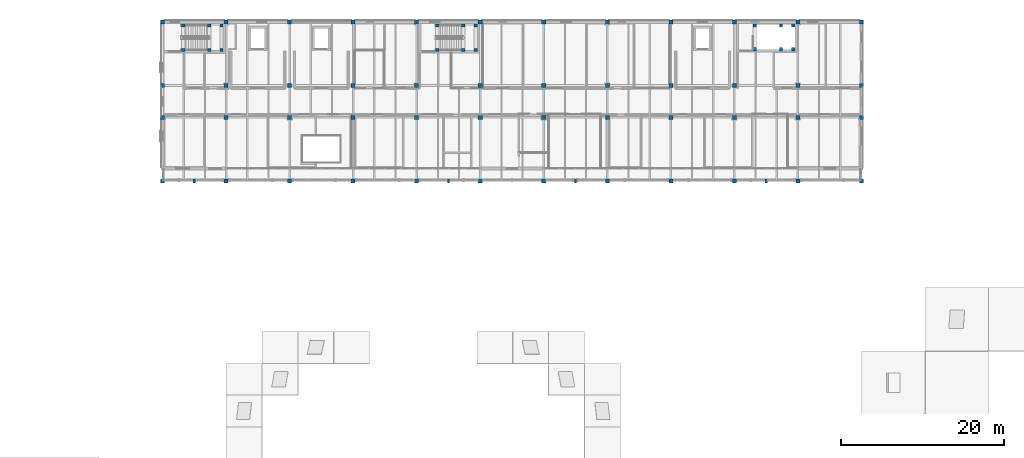
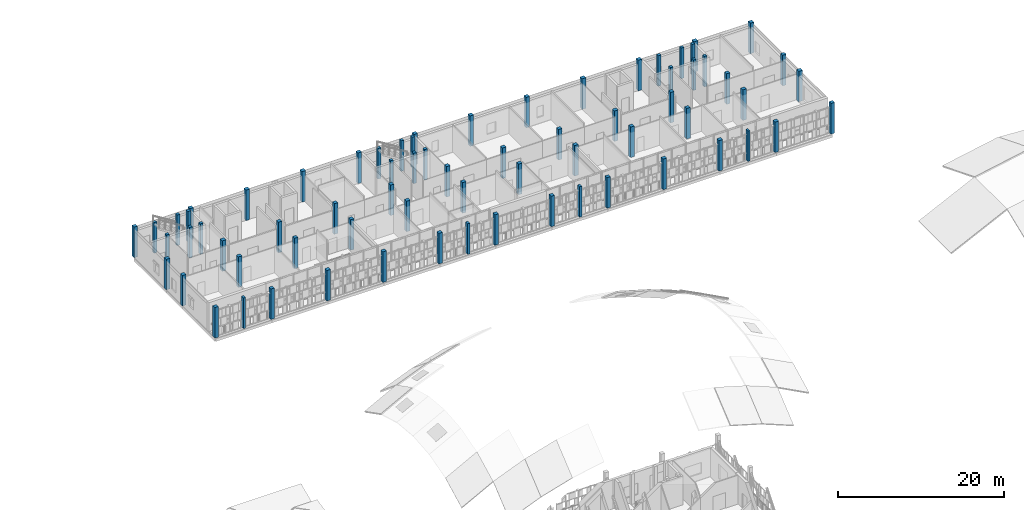
# One storey, part 4 of 89: 70 columns.
"""IFC4 building model written with IfcOpenShell, lengths in metres."""

from ifc_helpers import new_model, si_unit, direction, frame, origin, origin_2d, place, context, subcontext, project, spatial, rectangle, extrude, material, material_profile, profile_set, type_object, element, save


model = new_model("IFC4")

# Units and contexts
model_context = context("Model", 3, precision=1e-05, world=origin(), true_north=direction((0.0, 1.0)))
body_context = subcontext(model_context, "Body", "Model", "MODEL_VIEW")
ifc_project = project(units=[si_unit("LENGTHUNIT", "METRE"), si_unit("AREAUNIT", "SQUARE_METRE"), si_unit("VOLUMEUNIT", "CUBIC_METRE"), si_unit("PLANEANGLEUNIT", "RADIAN"), si_unit("MASSUNIT", "GRAM", prefix="KILO")], contexts=[model_context])

# Site, building, storey
site_placement = place(None, origin())
site = spatial("IfcSite", under=ifc_project, at=site_placement, CompositionType="ELEMENT")
building_placement = place(site_placement, origin())
building = spatial("IfcBuilding", under=site, at=building_placement, Name="Celorna Specialist Clinic", CompositionType="ELEMENT")
storey_placement = place(building_placement, frame((0.0, 0.0, 14.10009765625)))
storey = spatial("IfcBuildingStorey", under=building, at=storey_placement, Name="L03", CompositionType="ELEMENT", Elevation=14.10009765625)

# Columns
ifc_material_1 = material(Name="Concrete C35/45", Category="concrete")
ifc_material_profile_1 = material_profile(ifc_material_1, rectangle(XDim=0.5, YDim=0.5, at=origin_2d()), Name="RC 500x500")
ifc_profile_set_1 = profile_set([ifc_material_profile_1], Name="Concrete C35/45")
column_type_1 = type_object("IfcColumnType", Name="CT-06", PredefinedType="COLUMN", material=ifc_profile_set_1)
for number, where, z_axis, x_axis, name in (
    (1, (46.800048828125, 96.5, 0.0), (0.0, 0.0, 1.0), (1.0, 0.0, 0.0), "Column CT-06 L03 X07/YR"),
    (2, (46.800048828125, 104.300048828125, 0.0), (0.0, 0.0, 1.0), (1.0, 0.0, 0.0), "Column CT-06 L03 X07/YS"),
    (3, (46.800048828125, 108.199951171875, 0.0), (0.0, 0.0, 1.0), (1.0, 0.0, 0.0), "Column CT-06 L03 X07/YT"),
    (4, (46.800048828125, 116.0, 0.0), (0.0, 0.0, 1.0), (1.0, 0.0, 0.0), "Column CT-06 L03 X07/YU"),
    (5, (54.60009765625, 96.5, 0.0), (0.0, 0.0, 1.0), (1.0, 0.0, 0.0), "Column CT-06 L03 X08/YR"),
    (6, (54.60009765625, 104.300048828125, 0.0), (0.0, 0.0, 1.0), (1.0, 0.0, 0.0), "Column CT-06 L03 X08/YS"),
    (7, (54.60009765625, 108.199951171875, 0.0), (0.0, 0.0, 1.0), (1.0, 0.0, 0.0), "Column CT-06 L03 X08/YT"),
    (8, (54.60009765625, 116.0, 0.0), (0.0, 0.0, 1.0), (1.0, 0.0, 0.0), "Column CT-06 L03 X08/YU"),
    (9, (62.39990234375, 96.5, 0.0), (0.0, 0.0, 1.0), (1.0, 0.0, 0.0), "Column CT-06 L03 X09/YR"),
    (10, (62.39990234375, 104.300048828125, 0.0), (0.0, 0.0, 1.0), (1.0, 0.0, 0.0), "Column CT-06 L03 X09/YS"),
    (11, (62.39990234375, 108.199951171875, 0.0), (0.0, 0.0, 1.0), (1.0, 0.0, 0.0), "Column CT-06 L03 X09/YT"),
    (12, (62.39990234375, 116.0, 0.0), (0.0, 0.0, 1.0), (1.0, 0.0, 0.0), "Column CT-06 L03 X09/YU"),
    (13, (70.199951171875, 96.5, 0.0), (0.0, 0.0, 1.0), (1.0, 0.0, 0.0), "Column CT-06 L03 X10/YR"),
    (14, (70.199951171875, 104.300048828125, 0.0), (0.0, 0.0, 1.0), (1.0, 0.0, 0.0), "Column CT-06 L03 X10/YS"),
    (15, (70.199951171875, 108.199951171875, 0.0), (0.0, 0.0, 1.0), (1.0, 0.0, 0.0), "Column CT-06 L03 X10/YT"),
    (16, (70.199951171875, 116.0, 0.0), (0.0, 0.0, 1.0), (1.0, 0.0, 0.0), "Column CT-06 L03 X10/YU"),
    (17, (78.0, 96.5, 0.0), (0.0, 0.0, 1.0), (1.0, 0.0, 0.0), "Column CT-06 L03 X11/YR"),
    (18, (78.0, 104.300048828125, 0.0), (0.0, 0.0, 1.0), (1.0, 0.0, 0.0), "Column CT-06 L03 X11/YS"),
    (19, (78.0, 108.199951171875, 0.0), (0.0, 0.0, 1.0), (1.0, 0.0, 0.0), "Column CT-06 L03 X11/YT"),
    (20, (78.0, 116.0, 0.0), (0.0, 0.0, 1.0), (1.0, 0.0, 0.0), "Column CT-06 L03 X11/YU"),
    (21, (85.800048828125, 96.5, 0.0), (0.0, 0.0, 1.0), (1.0, 0.0, 0.0), "Column CT-06 L03 X12/YR"),
    (22, (85.800048828125, 104.300048828125, 0.0), (0.0, 0.0, 1.0), (1.0, 0.0, 0.0), "Column CT-06 L03 X12/YS"),
    (23, (85.800048828125, 108.199951171875, 0.0), (0.0, 0.0, 1.0), (1.0, 0.0, 0.0), "Column CT-06 L03 X12/YT"),
    (24, (85.800048828125, 116.0, 0.0), (0.0, 0.0, 1.0), (1.0, 0.0, 0.0), "Column CT-06 L03 X12/YU"),
    (25, (93.60009765625, 96.5, 0.0), (0.0, 0.0, 1.0), (1.0, 0.0, 0.0), "Column CT-06 L03 X13/YR"),
    (26, (93.60009765625, 104.300048828125, 0.0), (0.0, 0.0, 1.0), (1.0, 0.0, 0.0), "Column CT-06 L03 X13/YS"),
    (27, (93.60009765625, 108.199951171875, 0.0), (0.0, 0.0, 1.0), (1.0, 0.0, 0.0), "Column CT-06 L03 X13/YT"),
    (28, (93.60009765625, 116.0, 0.0), (0.0, 0.0, 1.0), (1.0, 0.0, 0.0), "Column CT-06 L03 X13/YU"),
    (29, (101.39990234375, 96.5, 0.0), (0.0, 0.0, 1.0), (1.0, 0.0, 0.0), "Column CT-06 L03 X14/YR"),
    (30, (101.39990234375, 104.300048828125, 0.0), (0.0, 0.0, 1.0), (1.0, 0.0, 0.0), "Column CT-06 L03 X14/YS"),
    (31, (101.39990234375, 108.199951171875, 0.0), (0.0, 0.0, 1.0), (1.0, 0.0, 0.0), "Column CT-06 L03 X14/YT"),
    (32, (101.39990234375, 116.0, 0.0), (0.0, 0.0, 1.0), (1.0, 0.0, 0.0), "Column CT-06 L03 X14/YU"),
    (33, (109.199951171875, 96.5, 0.0), (0.0, 0.0, 1.0), (1.0, 0.0, 0.0), "Column CT-06 L03 X15/YR"),
    (34, (109.199951171875, 104.300048828125, 0.0), (0.0, 0.0, 1.0), (1.0, 0.0, 0.0), "Column CT-06 L03 X15/YS"),
    (35, (109.199951171875, 108.199951171875, 0.0), (0.0, 0.0, 1.0), (1.0, 0.0, 0.0), "Column CT-06 L03 X15/YT"),
    (36, (109.199951171875, 116.0, 0.0), (0.0, 0.0, 1.0), (1.0, 0.0, 0.0), "Column CT-06 L03 X15/YU"),
    (37, (117.0, 96.5, 0.0), (0.0, 0.0, 1.0), (1.0, 0.0, 0.0), "Column CT-06 L03 X16/YR"),
    (38, (117.0, 104.300048828125, 0.0), (0.0, 0.0, 1.0), (1.0, 0.0, 0.0), "Column CT-06 L03 X16/YS"),
    (39, (117.0, 108.199951171875, 0.0), (0.0, 0.0, 1.0), (1.0, 0.0, 0.0), "Column CT-06 L03 X16/YT"),
    (40, (117.0, 116.0, 0.0), (0.0, 0.0, 1.0), (1.0, 0.0, 0.0), "Column CT-06 L03 X16/YU"),
    (41, (124.800048828125, 96.5, 0.0), (0.0, 0.0, 1.0), (1.0, 0.0, 0.0), "Column CT-06 L03 X17/YR"),
    (42, (124.800048828125, 104.300048828125, 0.0), (0.0, 0.0, 1.0), (1.0, 0.0, 0.0), "Column CT-06 L03 X17/YS"),
    (43, (124.800048828125, 108.199951171875, 0.0), (0.0, 0.0, 1.0), (1.0, 0.0, 0.0), "Column CT-06 L03 X17/YT"),
    (44, (124.800048828125, 116.0, 0.0), (0.0, 0.0, 1.0), (1.0, 0.0, 0.0), "Column CT-06 L03 X17/YU"),
    (45, (132.60009765625, 96.5, 0.0), (0.0, 0.0, 1.0), (1.0, 0.0, 0.0), "Column CT-06 L03 X18/YR"),
    (46, (132.60009765625, 104.300048828125, 0.0), (0.0, 0.0, 1.0), (1.0, 0.0, 0.0), "Column CT-06 L03 X18/YS"),
    (47, (132.60009765625, 108.199951171875, 0.0), (0.0, 0.0, 1.0), (1.0, 0.0, 0.0), "Column CT-06 L03 X18/YT"),
    (48, (132.60009765625, 116.0, 0.0), (0.0, 0.0, 1.0), (1.0, 0.0, 0.0), "Column CT-06 L03 X18/YU"),
):
    element("IfcColumn", number, at=place(storey_placement, frame(where, z_axis=z_axis, x_axis=x_axis)), inside=storey, type_object=column_type_1, Name=name, PredefinedType="COLUMN", context=body_context, shape_type="SweptSolid", body=[
        extrude(rectangle(XDim=0.5, YDim=0.5, at=origin_2d()), origin(), (0.0, 0.0, 1.0), 4.5),
    ])
ifc_material_profile_2 = material_profile(ifc_material_1, rectangle(XDim=0.39990234375, YDim=0.39990234375, at=origin_2d()), Name="RC 400x400")
ifc_profile_set_2 = profile_set([ifc_material_profile_2], Name="Concrete C35/45")
column_type_2 = type_object("IfcColumnType", Name="CT-08", PredefinedType="COLUMN", material=ifc_profile_set_2)
for number, where, z_axis, x_axis, name in (
    (49, (49.320068359375, 112.570068359375, 0.0), (0.0, 0.0, 1.0), (1.0, 0.0, 0.0), "Stair ST-01 landing column CT-08 L03 X07/YU"),
    (50, (49.320068359375, 115.570068359375, 0.0), (0.0, 0.0, 1.0), (1.0, 0.0, 0.0), "Stair ST-01 landing column CT-08 L03 X07/YU"),
    (51, (52.52001953125, 112.570068359375, 0.0), (0.0, 0.0, 1.0), (1.0, 0.0, 0.0), "Stair ST-01 landing column CT-08 L03 X08/YU"),
    (52, (52.52001953125, 115.570068359375, 0.0), (0.0, 0.0, 1.0), (1.0, 0.0, 0.0), "Stair ST-01 landing column CT-08 L03 X08/YU"),
    (53, (54.0400390625, 112.570068359375, 0.0), (0.0, 0.0, 1.0), (1.0, 0.0, 0.0), "Stair ST-01 landing column CT-08 L03 X08/YU"),
    (54, (54.0400390625, 115.570068359375, 0.0), (0.0, 0.0, 1.0), (1.0, 0.0, 0.0), "Stair ST-01 landing column CT-08 L03 X08/YU"),
    (55, (80.52001953125, 112.570068359375, 0.0), (0.0, 0.0, 1.0), (1.0, 0.0, 0.0), "Stair ST-02 landing column CT-08 L03 X11/YU"),
    (56, (80.52001953125, 115.570068359375, 0.0), (0.0, 0.0, 1.0), (1.0, 0.0, 0.0), "Stair ST-02 landing column CT-08 L03 X11/YU"),
    (57, (83.719970703125, 112.570068359375, 0.0), (0.0, 0.0, 1.0), (1.0, 0.0, 0.0), "Stair ST-02 landing column CT-08 L03 X12/YU"),
    (58, (83.719970703125, 115.570068359375, 0.0), (0.0, 0.0, 1.0), (1.0, 0.0, 0.0), "Stair ST-02 landing column CT-08 L03 X12/YU"),
    (59, (85.239990234375, 112.570068359375, 0.0), (0.0, 0.0, 1.0), (1.0, 0.0, 0.0), "Stair ST-02 landing column CT-08 L03 X12/YU"),
    (60, (85.239990234375, 115.570068359375, 0.0), (0.0, 0.0, 1.0), (1.0, 0.0, 0.0), "Stair ST-02 landing column CT-08 L03 X12/YU"),
    (61, (119.52001953125, 112.669921875, 0.0), (0.0, 0.0, 1.0), (1.0, 0.0, 0.0), "Stair ST-03 landing column CT-08 L03 X16/YU"),
    (62, (119.52001953125, 115.570068359375, 0.0), (0.0, 0.0, 1.0), (1.0, 0.0, 0.0), "Stair ST-03 landing column CT-08 L03 X16/YU"),
    (63, (122.719970703125, 112.669921875, 0.0), (0.0, 0.0, 1.0), (1.0, 0.0, 0.0), "Stair ST-03 landing column CT-08 L03 X17/YU"),
    (64, (122.719970703125, 115.570068359375, 0.0), (0.0, 0.0, 1.0), (1.0, 0.0, 0.0), "Stair ST-03 landing column CT-08 L03 X17/YU"),
    (65, (124.239990234375, 112.669921875, 0.0), (0.0, 0.0, 1.0), (1.0, 0.0, 0.0), "Stair ST-03 landing column CT-08 L03 X17/YU"),
    (66, (124.239990234375, 115.570068359375, 0.0), (0.0, 0.0, 1.0), (1.0, 0.0, 0.0), "Stair ST-03 landing column CT-08 L03 X17/YU"),
):
    element("IfcColumn", number, at=place(storey_placement, frame(where, z_axis=z_axis, x_axis=x_axis)), inside=storey, type_object=column_type_2, Name=name, PredefinedType="COLUMN", context=body_context, shape_type="SweptSolid", body=[
        extrude(rectangle(XDim=0.39990234375, YDim=0.39990234375, at=origin_2d()), origin(), (0.0, 0.0, 1.0), 4.5),
    ])
ifc_material_2 = material(Name="Precast concrete C40/50", Category="concrete")
ifc_material_profile_3 = material_profile(ifc_material_2, rectangle(XDim=0.300048828125, YDim=0.47998046875, at=origin_2d()), Name="PILASTER 300x480")
ifc_profile_set_3 = profile_set([ifc_material_profile_3], Name="Precast concrete C40/50")
column_type_3 = type_object("IfcColumnType", Name="CT-17", PredefinedType="PILASTER", material=ifc_profile_set_3)
for number, where, z_axis, x_axis, name in (
    (67, (50.699951171875, 96.5, 0.0), (0.0, 0.0, 1.0), (1.0, 0.0, 0.0), "Court veranda pilaster CT-17 L03 X08/YR"),
    (68, (81.89990234375, 96.5, 0.0), (0.0, 0.0, 1.0), (1.0, 0.0, 0.0), "Court veranda pilaster CT-17 L03 X12/YR"),
    (69, (97.5, 96.5, 0.0), (0.0, 0.0, 1.0), (1.0, 0.0, 0.0), "Court veranda pilaster CT-17 L03 X13/YR"),
    (70, (120.89990234375, 96.5, 0.0), (0.0, 0.0, 1.0), (1.0, 0.0, 0.0), "Court veranda pilaster CT-17 L03 X17/YR"),
):
    element("IfcColumn", number, at=place(storey_placement, frame(where, z_axis=z_axis, x_axis=x_axis)), inside=storey, type_object=column_type_3, Name=name, PredefinedType="PILASTER", context=body_context, shape_type="SweptSolid", body=[
        extrude(rectangle(XDim=0.300048828125, YDim=0.47998046875, at=origin_2d()), origin(), (0.0, 0.0, 1.0), 4.5),
    ])

save(model, "model.ifc")
